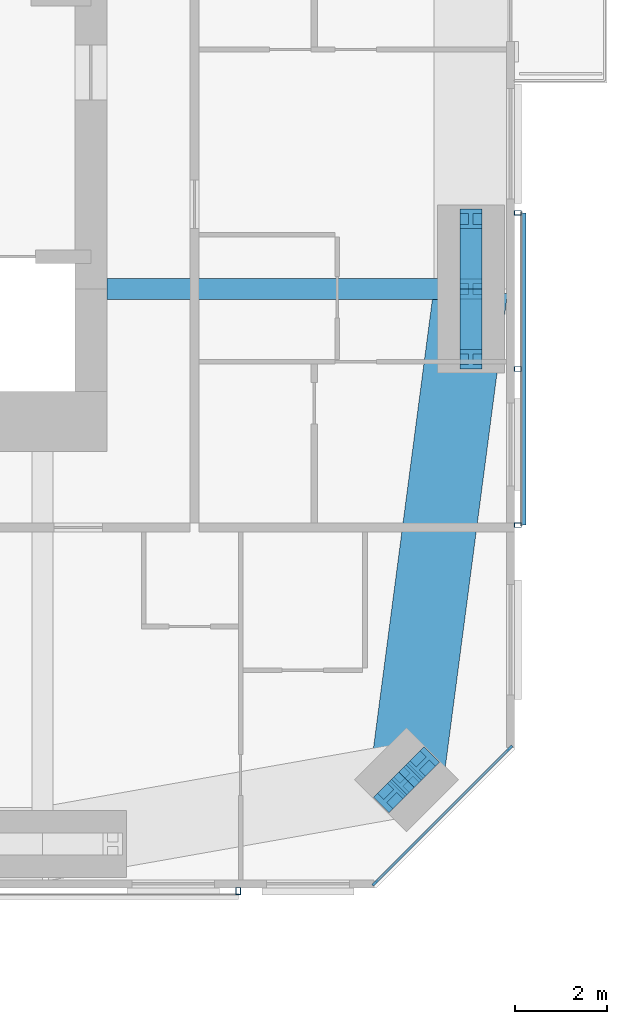
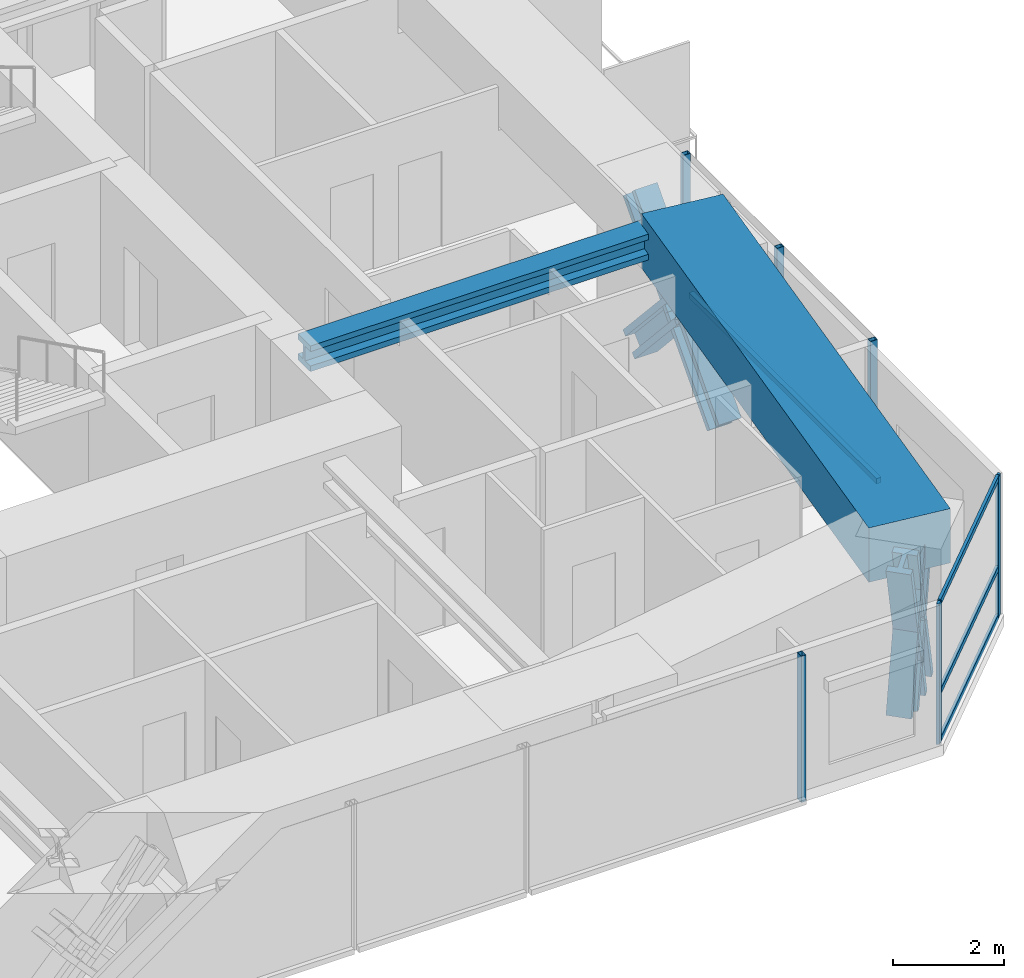
# One storey, part 8 of 23: 18 members, 2 beams, 3 elements without a shape of their own.
"""IFC4 building model written with IfcOpenShell, lengths in metres."""

import ifcopenshell
import ifcopenshell.guid

model = None  # the IFC model being written
_history = None  # IfcOwnerHistory: only IFC2X3 demands one
_inside = {}  # id of a spatial element -> (the spatial element, [elements in it])
_under = {}  # id of a project, library or spatial element -> (it, [spatial elements below it])
_declared = {}  # id of a project -> (the project, [libraries it declares])
_typed = {}  # id of a type object -> (the type object, [elements of that type])
_made_of = {}  # id of a material, layer set ... -> (it, [elements and type objects made of it])


def new_model(schema):
    """Start an empty IFC model of exactly this schema.

    Asked for "IFC4X3", IfcOpenShell would pick the latest addendum, in which some entities
    have other attributes; the version numbers below select the first issue.
    IFC2X3 requires an IfcOwnerHistory on every rooted entity: one is made here for all.
    """
    global model, _history
    if schema == "IFC4X3":
        model = ifcopenshell.file(schema_version=(4, 3, 0, 0))
    else:
        model = ifcopenshell.file(schema=schema)
    _inside.clear()
    _under.clear()
    _declared.clear()
    _typed.clear()
    _made_of.clear()
    _history = None
    if model.schema == "IFC2X3":
        org = make("IfcOrganization", Name="unknown")
        user = make(
            "IfcPersonAndOrganization",
            ThePerson=make("IfcPerson", FamilyName="unknown"),
            TheOrganization=org,
        )
        app = make(
            "IfcApplication",
            ApplicationDeveloper=org,
            Version="unknown",
            ApplicationFullName="unknown",
            ApplicationIdentifier="unknown",
        )
        _history = make(
            "IfcOwnerHistory",
            OwningUser=user,
            OwningApplication=app,
            ChangeAction="ADDED",
            CreationDate=0,
        )
    return model


def make(cls, **values):
    """One entity of the class cls with the attributes given. An attribute that is None is left unset."""
    return model.create_entity(
        cls, **{name: value for name, value in values.items() if value is not None}
    )


def rooted(cls, **values):
    """An entity with a GlobalId (a new one), such as an element, a storey or a relation."""
    return make(cls, GlobalId=ifcopenshell.guid.new(), OwnerHistory=_history, **values)


def si_unit(unit_type, name, prefix=None):
    """IfcSIUnit, for example si_unit("LENGTHUNIT", "METRE", prefix="MILLI")."""
    return make("IfcSIUnit", UnitType=unit_type, Prefix=prefix, Name=name)


def assignment(units):
    """IfcUnitAssignment: the units of a project."""
    return None if units is None else make("IfcUnitAssignment", Units=units)


def point(xyz):
    """IfcCartesianPoint."""
    return None if xyz is None else make("IfcCartesianPoint", Coordinates=xyz)


def direction(xyz):
    """IfcDirection."""
    return None if xyz is None else make("IfcDirection", DirectionRatios=xyz)


def frame(location, z_axis=None, x_axis=None):
    """IfcAxis2Placement3D, a coordinate frame: its origin and axes. An axis left out is left unset."""
    return make(
        "IfcAxis2Placement3D",
        Location=point(location),
        Axis=direction(z_axis),
        RefDirection=direction(x_axis),
    )


def frame_2d(location, x_axis=None):
    """IfcAxis2Placement2D, a coordinate frame in the plane: its origin and x axis."""
    return make(
        "IfcAxis2Placement2D", Location=point(location), RefDirection=direction(x_axis)
    )


def origin():
    """The frame at (0, 0, 0) with its axes left unset."""
    return frame((0.0, 0.0, 0.0))


def origin_2d():
    """The frame at (0, 0) in the plane with its x axis left unset."""
    return frame_2d((0.0, 0.0))


def place(relative_to, where):
    """IfcLocalPlacement: puts the frame where relative to a parent placement (None: the world)."""
    return make(
        "IfcLocalPlacement", PlacementRelTo=relative_to, RelativePlacement=where
    )


def context(
    kind, dimensions, precision=None, world=None, true_north=None, identifier=None
):
    """IfcGeometricRepresentationContext, for example the 3D "Model" context."""
    return make(
        "IfcGeometricRepresentationContext",
        ContextIdentifier=identifier,
        ContextType=kind,
        CoordinateSpaceDimension=dimensions,
        Precision=precision,
        WorldCoordinateSystem=world,
        TrueNorth=true_north,
    )


def subcontext(parent, identifier, kind, view, scale=None):
    """IfcGeometricRepresentationSubContext, for example "Body" below "Model"."""
    return make(
        "IfcGeometricRepresentationSubContext",
        ContextIdentifier=identifier,
        ContextType=kind,
        ParentContext=parent,
        TargetScale=scale,
        TargetView=view,
    )


def project(units=None, contexts=None):
    """IfcProject with its units and contexts."""
    return rooted(
        "IfcProject",
        Name="project",
        RepresentationContexts=contexts,
        UnitsInContext=assignment(units),
    )


def spatial(cls, under=None, at=None, **own):
    """A site, building, storey or space (cls), placed at a placement, below another one or the project."""
    s = rooted(cls, ObjectPlacement=at, **own)
    if under is not None:
        _under.setdefault(under.id(), (under, []))[1].append(s)
    return s


def profile(cls, at=None, kind="AREA", **sizes):
    """A parametric profile (cls). Its sizes go by their IFC names, for example OverallWidth=200.0."""
    return make(cls, ProfileType=kind, Position=at, **sizes)


def rectangle(**sizes):
    """IfcRectangleProfileDef."""
    return profile("IfcRectangleProfileDef", **sizes)


def hollow_rectangle(**sizes):
    """IfcRectangleHollowProfileDef."""
    return profile("IfcRectangleHollowProfileDef", **sizes)


def i_section(**sizes):
    """IfcIShapeProfileDef."""
    return profile("IfcIShapeProfileDef", **sizes)


def extrude(swept, where, along, depth):
    """IfcExtrudedAreaSolid: the profile swept, set in the frame where, extruded along a direction by depth."""
    return make(
        "IfcExtrudedAreaSolid",
        SweptArea=swept,
        Position=where,
        ExtrudedDirection=direction(along),
        Depth=depth,
    )


def shape(context_of_items, identifier, shape_type, items):
    """IfcShapeRepresentation: the items that make up one representation, for example the "Body"."""
    return make(
        "IfcShapeRepresentation",
        ContextOfItems=context_of_items,
        RepresentationIdentifier=identifier,
        RepresentationType=shape_type,
        Items=items,
    )


def material(Name=None, Category=None):
    """IfcMaterial."""
    return make("IfcMaterial", Name=Name, Category=Category)


def material_profile(
    of_material, cross_section, Name=None, Category=None, Priority=None
):
    """IfcMaterialProfile: a cross section and its material."""
    return make(
        "IfcMaterialProfile",
        Name=Name,
        Material=of_material,
        Profile=cross_section,
        Priority=Priority,
        Category=Category,
    )


def profile_set(profiles, Name=None, composite=None):
    """IfcMaterialProfileSet."""
    return make(
        "IfcMaterialProfileSet",
        Name=Name,
        MaterialProfiles=profiles,
        CompositeProfile=composite,
    )


def made_of(thing, what):
    """Note that an element or type object is made of a material, layer set ...; save() writes the relation."""
    if what is not None:
        _made_of.setdefault(what.id(), (what, []))[1].append(thing)
    return thing


def type_object(cls, material=None, **own):
    """A type object (cls), such as IfcWallType, which elements share."""
    return made_of(rooted(cls, **own), material)


def element(
    cls,
    number,
    at=None,
    inside=None,
    cuts=None,
    type_object=None,
    material=None,
    context=None,
    identifier="Body",
    shape_type=None,
    held_by="IfcProductDefinitionShape",
    body=None,
    shapes=None,
    **own,
):
    """One element of the class cls, such as IfcWall. Its Tag is "e" and its number.

    at: its placement. inside: the storey or other place that contains it. cuts: it is an
    opening in that element (IfcRelVoidsElement). A single representation is given by context,
    identifier, shape_type and body (its items); several are given by shapes. held_by: the class
    of the entity that holds the representations. save() writes the other relations.
    """
    e = rooted(cls, Tag="e%d" % number, ObjectPlacement=at, **own)
    if body is not None:
        shapes = [shape(context, identifier, shape_type, body)]
    if shapes is not None:
        e.Representation = make(held_by, Representations=shapes)
    if inside is not None:
        _inside.setdefault(inside.id(), (inside, []))[1].append(e)
    if cuts is not None:
        rooted(
            "IfcRelVoidsElement", RelatingBuildingElement=cuts, RelatedOpeningElement=e
        )
    if type_object is not None:
        _typed.setdefault(type_object.id(), (type_object, []))[1].append(e)
    return made_of(e, material)


def aggregate(whole, parts):
    """IfcRelAggregates: a whole, such as a stair, and the parts it consists of."""
    return rooted("IfcRelAggregates", RelatingObject=whole, RelatedObjects=parts)


def save(model, path):
    """Write the relations noted so far, then the file.

    IfcRelAggregates (storeys below a building ...), IfcRelContainedInSpatialStructure (elements
    in a storey), IfcRelDefinesByType, IfcRelAssociatesMaterial and IfcRelDeclares: one each for
    every whole, place, type object, material and project.
    """
    for whole, parts in _under.values():
        aggregate(whole, parts)
    for where, things in _inside.values():
        rooted(
            "IfcRelContainedInSpatialStructure",
            RelatedElements=things,
            RelatingStructure=where,
        )
    for kind, things in _typed.values():
        rooted("IfcRelDefinesByType", RelatedObjects=things, RelatingType=kind)
    for what, things in _made_of.values():
        rooted("IfcRelAssociatesMaterial", RelatedObjects=things, RelatingMaterial=what)
    for by, libraries in _declared.values():
        rooted("IfcRelDeclares", RelatingContext=by, RelatedDefinitions=libraries)
    model.write(path)


model = new_model("IFC4")

# Units and contexts
model_context = context("Model", 3, precision=1e-05, world=origin(), true_north=direction((0.0, 1.0)))
body_context = subcontext(model_context, "Body", "Model", "MODEL_VIEW")
ifc_project = project(units=[si_unit("LENGTHUNIT", "METRE"), si_unit("AREAUNIT", "SQUARE_METRE"), si_unit("VOLUMEUNIT", "CUBIC_METRE"), si_unit("PLANEANGLEUNIT", "RADIAN"), si_unit("MASSUNIT", "GRAM", prefix="KILO")], contexts=[model_context])

# Site, building, storey
site_placement = place(None, origin())
site = spatial("IfcSite", under=ifc_project, at=site_placement, CompositionType="ELEMENT")
building_placement = place(site_placement, origin())
building = spatial("IfcBuilding", under=site, at=building_placement, Name="Jalousie Tower", CompositionType="ELEMENT")
storey_placement = place(building_placement, frame((0.0, 0.0, 184.5)))
storey = spatial("IfcBuildingStorey", under=building, at=storey_placement, Name="L50", CompositionType="ELEMENT", Elevation=184.5)

# Curtain wall, members
ifc_material_1 = material(Name="Aluminium curtain wall", Category="aluminium")
curtain_wall_type_1 = type_object("IfcCurtainWallType", Name="CORNER WINDOW WALL", PredefinedType="USERDEFINED", material=ifc_material_1)
curtain_wall_1_placement = place(storey_placement, origin())
curtain_wall_1 = element("IfcCurtainWall", 1, at=curtain_wall_1_placement, inside=storey, type_object=curtain_wall_type_1, Name="Corner Window Wall L50 2", ObjectType="CORNER WINDOW WALL", PredefinedType="USERDEFINED")
ifc_material_2 = material(Name="Aluminium mullion", Category="aluminium")
ifc_material_profile_1 = material_profile(ifc_material_2, rectangle(XDim=0.06005859375, YDim=0.14990234375, at=origin_2d()), Name="MULLION 60x150")
ifc_profile_set_1 = profile_set([ifc_material_profile_1], Name="Aluminium mullion")
member_type_1 = type_object("IfcMemberType", Name="CORNER WINDOW WALL MULLION", PredefinedType="MULLION", material=ifc_profile_set_1)
member_1_placement = place(storey_placement, frame((49.969970703125, 0.108642578125, 0.0), z_axis=(0.0, 0.0, 1.0), x_axis=(-0.707106781187, 0.707106781187, 0.0)))
member_1 = element("IfcMember", 2, at=member_1_placement, type_object=member_type_1, Name="CW-C mullion 1", PredefinedType="MULLION", context=body_context, shape_type="SweptSolid", body=[
    extrude(rectangle(XDim=0.06005859375, YDim=0.14990234375, at=origin_2d()), origin(), (0.0, 0.0, 1.0), 3.110107421875),
])
member_2_placement = place(storey_placement, frame((52.891357421875, 3.030029296875, 0.0), z_axis=(0.0, 0.0, 1.0), x_axis=(-0.707106781187, 0.707106781187, 0.0)))
member_2 = element("IfcMember", 3, at=member_2_placement, type_object=member_type_1, Name="CW-C mullion 2", PredefinedType="MULLION", context=body_context, shape_type="SweptSolid", body=[
    extrude(rectangle(XDim=0.06005859375, YDim=0.14990234375, at=origin_2d()), origin(), (0.0, 0.0, 1.0), 3.110107421875),
])
ifc_material_3 = material(Name="Aluminium transom", Category="aluminium")
ifc_material_profile_2 = material_profile(ifc_material_3, rectangle(XDim=0.06005859375, YDim=0.1201171875, at=origin_2d()), Name="TRANSOM 60x120")
ifc_profile_set_2 = profile_set([ifc_material_profile_2], Name="Aluminium transom")
member_type_2 = type_object("IfcMemberType", Name="CORNER WINDOW WALL TRANSOM", PredefinedType="USERDEFINED", material=ifc_profile_set_2)
member_3_placement = place(storey_placement, frame((49.9912109375, 0.1298828125, 0.030029296875), z_axis=(0.707106781187, 0.707106781187, 0.0), x_axis=(-0.707106781187, 0.707106781187, 0.0)))
member_3 = element("IfcMember", 4, at=member_3_placement, type_object=member_type_2, Name="CW-C transom 1.1", ObjectType="TRANSOM", PredefinedType="USERDEFINED", context=body_context, shape_type="SweptSolid", body=[
    extrude(rectangle(XDim=0.06005859375, YDim=0.1201171875, at=origin_2d()), origin(), (0.0, 0.0, 1.0), 4.0712890625),
])
member_4_placement = place(storey_placement, frame((49.9912109375, 0.1298828125, 1.10009765625), z_axis=(0.707106781187, 0.707106781187, 0.0), x_axis=(-0.707106781187, 0.707106781187, 0.0)))
member_4 = element("IfcMember", 5, at=member_4_placement, type_object=member_type_2, Name="CW-C transom 1.2", ObjectType="TRANSOM", PredefinedType="USERDEFINED", context=body_context, shape_type="SweptSolid", body=[
    extrude(rectangle(XDim=0.06005859375, YDim=0.1201171875, at=origin_2d()), origin(), (0.0, 0.0, 1.0), 4.0712890625),
])
member_5_placement = place(storey_placement, frame((49.9912109375, 0.1298828125, 3.080078125), z_axis=(0.707106781187, 0.707106781187, 0.0), x_axis=(-0.707106781187, 0.707106781187, 0.0)))
member_5 = element("IfcMember", 6, at=member_5_placement, type_object=member_type_2, Name="CW-C transom 1.3", ObjectType="TRANSOM", PredefinedType="USERDEFINED", context=body_context, shape_type="SweptSolid", body=[
    extrude(rectangle(XDim=0.06005859375, YDim=0.1201171875, at=origin_2d()), origin(), (0.0, 0.0, 1.0), 4.0712890625),
])
aggregate(curtain_wall_1, [member_1, member_2, member_3, member_4, member_5])

# Beam
ifc_material_4 = material(Name="Steel ASTM A992 Grade 50", Category="steel")
ifc_material_profile_3 = material_profile(ifc_material_4, i_section(OverallWidth=0.45458984375, OverallDepth=0.569091796875, WebThickness=0.077880859375, FlangeThickness=0.124755859375, at=origin_2d()), Name="W14X730")
ifc_profile_set_3 = profile_set([ifc_material_profile_3], Name="Steel ASTM A992 Grade 50")
beam_type_1 = type_object("IfcBeamType", Name="LEAN COLLECTOR W14X730", PredefinedType="BEAM", material=ifc_profile_set_3)
beam_1_placement = place(storey_placement, frame((52.050048828125, 13.0, 2.825439453125), z_axis=(-1.0, 0.0, 0.0), x_axis=(0.0, -1.0, 0.0)))
element("IfcBeam", 7, at=beam_1_placement, inside=storey, type_object=beam_type_1, Name="Lean collector under L51", PredefinedType="BEAM", context=body_context, shape_type="SweptSolid", body=[
    extrude(i_section(OverallWidth=0.45458984375, OverallDepth=0.569091796875, WebThickness=0.077880859375, FlangeThickness=0.124755859375, at=origin_2d()), origin(), (0.0, 0.0, 1.0), 7.900146484375),
])

# Members
ifc_material_5 = material(Name="Steel ASTM A992 Grade 50", Category="steel")
ifc_material_profile_4 = material_profile(ifc_material_5, i_section(OverallWidth=0.472412109375, OverallDepth=0.5791015625, WebThickness=0.094970703125, FlangeThickness=0.1298828125, at=origin_2d()), Name="W14X808")
ifc_profile_set_4 = profile_set([ifc_material_profile_4], Name="Steel ASTM A992 Grade 50")
member_type_3 = type_object("IfcMemberType", Name="PERIMETER BRACE W14X808", PredefinedType="BRACE", material=ifc_profile_set_4)
for number, where, z_axis, x_axis, name in (
    (8, (50.2978515625, 1.9951171875, -0.60009765625), (0.202372069365, 0.202092742837, 0.958229653493), (-0.706618279267, 0.707594945859, 0.0), "Perimeter brace 05 L50 part 1"),
    (9, (50.651611328125, 2.348388671875, 1.074951171875), (0.202092742837, 0.202372069365, 0.958229653493), (-0.707594945859, 0.706618279267, 0.0), "Perimeter brace 05 L50 part 2"),
    (10, (51.0048828125, 2.7021484375, -0.60009765625), (-0.202092742837, -0.202372069365, 0.958229653493), (0.707594945859, -0.706618279267, 0.0), "Perimeter brace 05 L50 part 3"),
    (11, (50.651611328125, 2.348388671875, 1.074951171875), (-0.202372069365, -0.202092742837, 0.958229653493), (0.706618279267, -0.707594945859, 0.0), "Perimeter brace 05 L50 part 4"),
):
    element("IfcMember", number, at=place(storey_placement, frame(where, z_axis=z_axis, x_axis=x_axis)), inside=storey, type_object=member_type_3, Name=name, PredefinedType="BRACE", context=body_context, shape_type="SweptSolid", body=[
        extrude(i_section(OverallWidth=0.472412109375, OverallDepth=0.5791015625, WebThickness=0.094970703125, FlangeThickness=0.1298828125, at=origin_2d()), origin(), (0.0, 0.0, 1.0), 1.748046875),
    ])
for number, where, z_axis, x_axis, name in (
    (12, (52.050048828125, 11.47509765625, -0.60009765625), (0.0, 0.673187629365, 0.739471713908), (-1.0, 0.0, 0.0), "Perimeter brace 06 L50 part 1"),
    (13, (52.050048828125, 13.0, 1.074951171875), (0.0, 0.673187629365, 0.739471713908), (-1.0, 0.0, 0.0), "Perimeter brace 06 L50 part 2"),
    (14, (52.050048828125, 14.52490234375, -0.60009765625), (0.0, -0.673187629365, 0.739471713908), (1.0, 0.0, 0.0), "Perimeter brace 06 L50 part 3"),
    (15, (52.050048828125, 13.0, 1.074951171875), (0.0, -0.673187629365, 0.739471713908), (1.0, 0.0, 0.0), "Perimeter brace 06 L50 part 4"),
):
    element("IfcMember", number, at=place(storey_placement, frame(where, z_axis=z_axis, x_axis=x_axis)), inside=storey, type_object=member_type_3, Name=name, PredefinedType="BRACE", context=body_context, shape_type="SweptSolid", body=[
        extrude(i_section(OverallWidth=0.472412109375, OverallDepth=0.5791015625, WebThickness=0.094970703125, FlangeThickness=0.1298828125, at=origin_2d()), origin(), (0.0, 0.0, 1.0), 2.26513671875),
    ])

# Beam
ifc_material_6 = material(Name="Concrete f'c 40 MPa", Category="concrete")
ifc_material_profile_5 = material_profile(ifc_material_6, rectangle(XDim=1.60009765625, YDim=1.199951171875, at=origin_2d()), Name="RC 1600x1200")
ifc_profile_set_5 = profile_set([ifc_material_profile_5], Name="Concrete f'c 40 MPa")
beam_type_2 = type_object("IfcBeamType", Name="RC BEAM 1600x1200", PredefinedType="BEAM", material=ifc_profile_set_5)
beam_2_placement = place(storey_placement, frame((50.651611328125, 2.348388671875, 2.75), z_axis=(0.130171745558, 0.991491460709, 0.0), x_axis=(-0.991491460709, 0.130171745558, 0.0)))
element("IfcBeam", 16, at=beam_2_placement, inside=storey, type_object=beam_type_2, Name="Edge band beam 05-06 under L51", PredefinedType="BEAM", context=body_context, shape_type="SweptSolid", body=[
    extrude(rectangle(XDim=1.60009765625, YDim=1.199951171875, at=origin_2d()), origin(), (0.0, 0.0, 1.0), 10.742919921875),
])

# Curtain wall, member
ifc_material_7 = material(Name="Perforated aluminium sheet", Category="aluminium")
curtain_wall_type_2 = type_object("IfcCurtainWallType", Name="SOLAR SCREEN SS-1", PredefinedType="USERDEFINED", material=ifc_material_7)
curtain_wall_2_placement = place(storey_placement, origin())
curtain_wall_2 = element("IfcCurtainWall", 17, at=curtain_wall_2_placement, inside=storey, type_object=curtain_wall_type_2, Name="Solar screen L50", ObjectType="SOLAR SCREEN SS-1", PredefinedType="USERDEFINED")
ifc_material_8 = material(Name="Steel ASTM A500 Grade C", Category="steel")
ifc_material_profile_6 = material_profile(ifc_material_8, hollow_rectangle(XDim=0.1015625, YDim=0.15234375, WallThickness=0.00634765625, at=origin_2d()), Name="HSS6X4X1/4")
ifc_profile_set_6 = profile_set([ifc_material_profile_6], Name="Steel ASTM A500 Grade C")
member_type_4 = type_object("IfcMemberType", Name="SOLAR SCREEN SS-1 MULLION", PredefinedType="MULLION", material=ifc_profile_set_6)
member_6_placement = place(storey_placement, frame((47.0, -0.0712890625, -0.1201171875), z_axis=(0.0, 0.0, 1.0), x_axis=(1.0, 0.0, 0.0)))
member_6 = element("IfcMember", 18, at=member_6_placement, type_object=member_type_4, Name="SS1 post 2", PredefinedType="MULLION", context=body_context, shape_type="SweptSolid", body=[
    extrude(hollow_rectangle(XDim=0.1015625, YDim=0.15234375, WallThickness=0.00634765625, at=origin_2d()), origin(), (0.0, 0.0, 1.0), 3.230224609375),
])
aggregate(curtain_wall_2, [member_6])

# Curtain wall, members
curtain_wall_3_placement = place(storey_placement, origin())
curtain_wall_3 = element("IfcCurtainWall", 19, at=curtain_wall_3_placement, inside=storey, type_object=curtain_wall_type_2, Name="Solar screen L50", ObjectType="SOLAR SCREEN SS-1", PredefinedType="USERDEFINED")
member_7_placement = place(storey_placement, frame((53.0712890625, 7.875, -0.1201171875), z_axis=(0.0, 0.0, 1.0), x_axis=(0.0, 1.0, 0.0)))
member_7 = element("IfcMember", 20, at=member_7_placement, type_object=member_type_4, Name="SS1 post 1", PredefinedType="MULLION", context=body_context, shape_type="SweptSolid", body=[
    extrude(hollow_rectangle(XDim=0.1015625, YDim=0.15234375, WallThickness=0.00634765625, at=origin_2d()), origin(), (0.0, 0.0, 1.0), 3.230224609375),
])
member_8_placement = place(storey_placement, frame((53.0712890625, 11.26416015625, -0.1201171875), z_axis=(0.0, 0.0, 1.0), x_axis=(0.0, 1.0, 0.0)))
member_8 = element("IfcMember", 21, at=member_8_placement, type_object=member_type_4, Name="SS1 post 2", PredefinedType="MULLION", context=body_context, shape_type="SweptSolid", body=[
    extrude(hollow_rectangle(XDim=0.1015625, YDim=0.15234375, WallThickness=0.00634765625, at=origin_2d()), origin(), (0.0, 0.0, 1.0), 3.230224609375),
])
member_9_placement = place(storey_placement, frame((53.0712890625, 14.6533203125, -0.1201171875), z_axis=(0.0, 0.0, 1.0), x_axis=(0.0, 1.0, 0.0)))
member_9 = element("IfcMember", 22, at=member_9_placement, type_object=member_type_4, Name="SS1 post 3", PredefinedType="MULLION", context=body_context, shape_type="SweptSolid", body=[
    extrude(hollow_rectangle(XDim=0.1015625, YDim=0.15234375, WallThickness=0.00634765625, at=origin_2d()), origin(), (0.0, 0.0, 1.0), 3.230224609375),
])
ifc_material_9 = material(Name="Extruded aluminium screen rail", Category="aluminium")
ifc_material_profile_7 = material_profile(ifc_material_9, rectangle(XDim=0.1015625, YDim=0.1201171875, at=origin_2d()), Name="RAIL 102x120")
ifc_profile_set_7 = profile_set([ifc_material_profile_7], Name="Extruded aluminium screen rail")
member_type_5 = type_object("IfcMemberType", Name="SOLAR SCREEN SS-1 TRANSOM", PredefinedType="USERDEFINED", material=ifc_profile_set_7)
member_10_placement = place(storey_placement, frame((53.1982421875, 7.875, -0.06005859375), z_axis=(0.0, 1.0, 0.0), x_axis=(-1.0, 0.0, 0.0)))
member_10 = element("IfcMember", 23, at=member_10_placement, type_object=member_type_5, Name="SS1 rail", ObjectType="TRANSOM", PredefinedType="USERDEFINED", context=body_context, shape_type="SweptSolid", body=[
    extrude(rectangle(XDim=0.1015625, YDim=0.1201171875, at=origin_2d()), origin(), (0.0, 0.0, 1.0), 6.7783203125),
])
aggregate(curtain_wall_3, [member_7, member_8, member_9, member_10])

save(model, "model.ifc")
